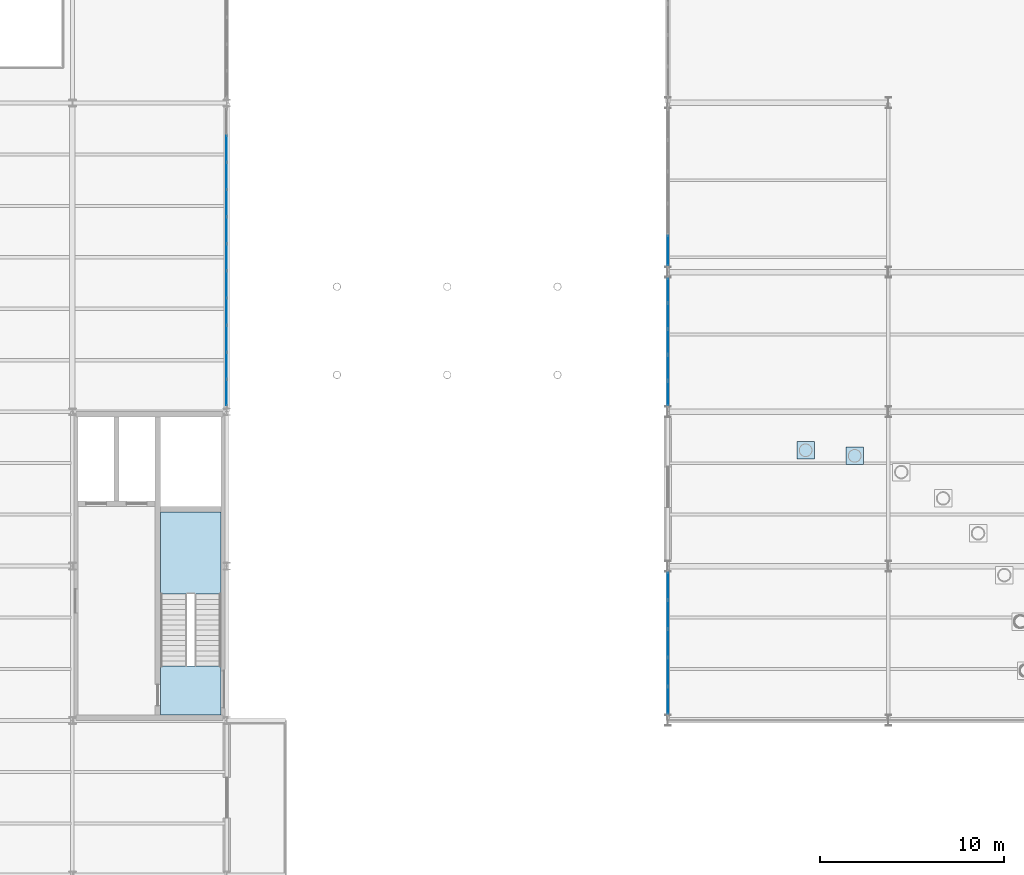
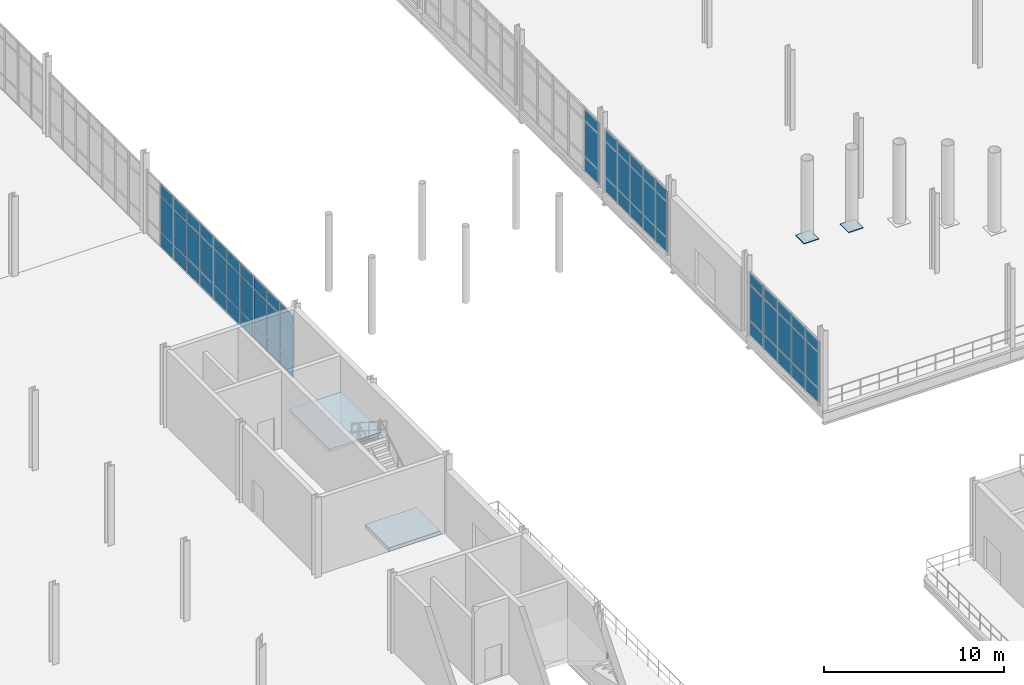
# One storey, part 86 of 111: 65 plates, 2 slabs, 5 elements without a shape of their own.
"""IFC4 building model written with IfcOpenShell, lengths in metres."""

from ifc_helpers import new_model, si_unit, direction, frame, origin, origin_2d, place, context, subcontext, project, spatial, polyline, rectangle, outline, extrude, material, layer, layer_set, type_object, element, aggregate, save


model = new_model("IFC4")

# Units and contexts
model_context = context("Model", 3, precision=1e-05, world=origin(), true_north=direction((0.0, 1.0)))
body_context = subcontext(model_context, "Body", "Model", "MODEL_VIEW")
ifc_project = project(units=[si_unit("LENGTHUNIT", "METRE"), si_unit("AREAUNIT", "SQUARE_METRE"), si_unit("VOLUMEUNIT", "CUBIC_METRE"), si_unit("PLANEANGLEUNIT", "RADIAN"), si_unit("MASSUNIT", "GRAM", prefix="KILO"), si_unit("THERMODYNAMICTEMPERATUREUNIT", "KELVIN"), si_unit("POWERUNIT", "WATT")], contexts=[model_context])

# Site, building, storey
site_placement = place(None, origin())
site = spatial("IfcSite", under=ifc_project, at=site_placement, CompositionType="ELEMENT")
building_placement = place(site_placement, origin())
building = spatial("IfcBuilding", under=site, at=building_placement, Name="Tembeka Court Mobility Hub", CompositionType="ELEMENT")
storey_placement = place(building_placement, origin())
storey = spatial("IfcBuildingStorey", under=building, at=storey_placement, Name="L00", CompositionType="ELEMENT", Elevation=0.0)

# Curtain wall, plates
ifc_material_1 = material(Name="Anodised aluminium 6063-T6", Category="aluminium")
ifc_layer_1 = layer(ifc_material_1, 0.159912109375)
ifc_layer_set_1 = layer_set([ifc_layer_1], Name="Anodised aluminium 6063-T6")
curtain_wall_type_1 = type_object("IfcCurtainWallType", Name="CW-SYS19", PredefinedType="USERDEFINED", material=ifc_layer_set_1)
curtain_wall_1_placement = place(storey_placement, origin())
curtain_wall_1 = element("IfcCurtainWall", 1, at=curtain_wall_1_placement, inside=storey, type_object=curtain_wall_type_1, Name="Unitised curtain wall CW19 (CW-L00-030)", ObjectType="UNITISED GLAZING", PredefinedType="USERDEFINED")
ifc_material_2 = material(Name="Laminated solar-control low-E glass", Category="glass")
ifc_layer_2 = layer(ifc_material_2, 0.028076171875)
ifc_layer_set_2 = layer_set([ifc_layer_2], Name="Laminated solar-control low-E glass")
plate_type_1 = type_object("IfcPlateType", Name="PL-CW01", PredefinedType="CURTAIN_PANEL", material=ifc_layer_set_2)
plate_1_placement = place(storey_placement, frame((92.39990234375, 81.434326171875, 0.06494140625), z_axis=(0.0, 0.0, 1.0), x_axis=(0.0, 1.0, 0.0)))
plate_1 = element("IfcPlate", 2, at=plate_1_placement, type_object=plate_type_1, Name="CW19 panel 1.1", PredefinedType="CURTAIN_PANEL", context=body_context, shape_type="SweptSolid", body=[
    extrude(rectangle(XDim=1.37890625, YDim=0.028076171875, at=origin_2d()), origin(), (0.0, 0.0, 1.0), 0.952392578125),
])
plate_2_placement = place(storey_placement, frame((92.39990234375, 81.434326171875, 1.08251953125), z_axis=(0.0, 0.0, 1.0), x_axis=(0.0, 1.0, 0.0)))
plate_2 = element("IfcPlate", 3, at=plate_2_placement, type_object=plate_type_1, Name="CW19 panel 1.2", PredefinedType="CURTAIN_PANEL", context=body_context, shape_type="SweptSolid", body=[
    extrude(rectangle(XDim=1.37890625, YDim=0.028076171875, at=origin_2d()), origin(), (0.0, 0.0, 1.0), 2.3701171875),
])
plate_3_placement = place(storey_placement, frame((92.39990234375, 81.434326171875, 3.517578125), z_axis=(0.0, 0.0, 1.0), x_axis=(0.0, 1.0, 0.0)))
plate_3 = element("IfcPlate", 4, at=plate_3_placement, type_object=plate_type_1, Name="CW19 panel 1.3", PredefinedType="CURTAIN_PANEL", context=body_context, shape_type="SweptSolid", body=[
    extrude(rectangle(XDim=1.37890625, YDim=0.028076171875, at=origin_2d()), origin(), (0.0, 0.0, 1.0), 0.75244140625),
])
plate_4_placement = place(storey_placement, frame((92.39990234375, 82.89453125, 0.06494140625), z_axis=(0.0, 0.0, 1.0), x_axis=(0.0, 1.0, 0.0)))
plate_4 = element("IfcPlate", 5, at=plate_4_placement, type_object=plate_type_1, Name="CW19 panel 2.1", PredefinedType="CURTAIN_PANEL", context=body_context, shape_type="SweptSolid", body=[
    extrude(rectangle(XDim=1.411376953125, YDim=0.028076171875, at=origin_2d()), origin(), (0.0, 0.0, 1.0), 0.952392578125),
])
plate_5_placement = place(storey_placement, frame((92.39990234375, 82.89453125, 1.08251953125), z_axis=(0.0, 0.0, 1.0), x_axis=(0.0, 1.0, 0.0)))
plate_5 = element("IfcPlate", 6, at=plate_5_placement, type_object=plate_type_1, Name="CW19 panel 2.2", PredefinedType="CURTAIN_PANEL", context=body_context, shape_type="SweptSolid", body=[
    extrude(rectangle(XDim=1.411376953125, YDim=0.028076171875, at=origin_2d()), origin(), (0.0, 0.0, 1.0), 2.3701171875),
])
plate_6_placement = place(storey_placement, frame((92.39990234375, 82.89453125, 3.517578125), z_axis=(0.0, 0.0, 1.0), x_axis=(0.0, 1.0, 0.0)))
plate_6 = element("IfcPlate", 7, at=plate_6_placement, type_object=plate_type_1, Name="CW19 panel 2.3", PredefinedType="CURTAIN_PANEL", context=body_context, shape_type="SweptSolid", body=[
    extrude(rectangle(XDim=1.411376953125, YDim=0.028076171875, at=origin_2d()), origin(), (0.0, 0.0, 1.0), 0.75244140625),
])
plate_7_placement = place(storey_placement, frame((92.39990234375, 84.370849609375, 0.06494140625), z_axis=(0.0, 0.0, 1.0), x_axis=(0.0, 1.0, 0.0)))
plate_7 = element("IfcPlate", 8, at=plate_7_placement, type_object=plate_type_1, Name="CW19 panel 3.1", PredefinedType="CURTAIN_PANEL", context=body_context, shape_type="SweptSolid", body=[
    extrude(rectangle(XDim=1.411376953125, YDim=0.028076171875, at=origin_2d()), origin(), (0.0, 0.0, 1.0), 0.952392578125),
])
plate_8_placement = place(storey_placement, frame((92.39990234375, 84.370849609375, 1.08251953125), z_axis=(0.0, 0.0, 1.0), x_axis=(0.0, 1.0, 0.0)))
plate_8 = element("IfcPlate", 9, at=plate_8_placement, type_object=plate_type_1, Name="CW19 panel 3.2", PredefinedType="CURTAIN_PANEL", context=body_context, shape_type="SweptSolid", body=[
    extrude(rectangle(XDim=1.411376953125, YDim=0.028076171875, at=origin_2d()), origin(), (0.0, 0.0, 1.0), 2.3701171875),
])
plate_9_placement = place(storey_placement, frame((92.39990234375, 84.370849609375, 3.517578125), z_axis=(0.0, 0.0, 1.0), x_axis=(0.0, 1.0, 0.0)))
plate_9 = element("IfcPlate", 10, at=plate_9_placement, type_object=plate_type_1, Name="CW19 panel 3.3", PredefinedType="CURTAIN_PANEL", context=body_context, shape_type="SweptSolid", body=[
    extrude(rectangle(XDim=1.411376953125, YDim=0.028076171875, at=origin_2d()), origin(), (0.0, 0.0, 1.0), 0.75244140625),
])
plate_10_placement = place(storey_placement, frame((92.39990234375, 85.84716796875, 0.06494140625), z_axis=(0.0, 0.0, 1.0), x_axis=(0.0, 1.0, 0.0)))
plate_10 = element("IfcPlate", 11, at=plate_10_placement, type_object=plate_type_1, Name="CW19 panel 4.1", PredefinedType="CURTAIN_PANEL", context=body_context, shape_type="SweptSolid", body=[
    extrude(rectangle(XDim=1.411376953125, YDim=0.028076171875, at=origin_2d()), origin(), (0.0, 0.0, 1.0), 0.952392578125),
])
plate_11_placement = place(storey_placement, frame((92.39990234375, 85.84716796875, 1.08251953125), z_axis=(0.0, 0.0, 1.0), x_axis=(0.0, 1.0, 0.0)))
plate_11 = element("IfcPlate", 12, at=plate_11_placement, type_object=plate_type_1, Name="CW19 panel 4.2", PredefinedType="CURTAIN_PANEL", context=body_context, shape_type="SweptSolid", body=[
    extrude(rectangle(XDim=1.411376953125, YDim=0.028076171875, at=origin_2d()), origin(), (0.0, 0.0, 1.0), 2.3701171875),
])
plate_12_placement = place(storey_placement, frame((92.39990234375, 85.84716796875, 3.517578125), z_axis=(0.0, 0.0, 1.0), x_axis=(0.0, 1.0, 0.0)))
plate_12 = element("IfcPlate", 13, at=plate_12_placement, type_object=plate_type_1, Name="CW19 panel 4.3", PredefinedType="CURTAIN_PANEL", context=body_context, shape_type="SweptSolid", body=[
    extrude(rectangle(XDim=1.411376953125, YDim=0.028076171875, at=origin_2d()), origin(), (0.0, 0.0, 1.0), 0.75244140625),
])
plate_13_placement = place(storey_placement, frame((92.39990234375, 87.32373046875, 0.06494140625), z_axis=(0.0, 0.0, 1.0), x_axis=(0.0, 1.0, 0.0)))
plate_13 = element("IfcPlate", 14, at=plate_13_placement, type_object=plate_type_1, Name="CW19 panel 5.1", PredefinedType="CURTAIN_PANEL", context=body_context, shape_type="SweptSolid", body=[
    extrude(rectangle(XDim=1.411376953125, YDim=0.028076171875, at=origin_2d()), origin(), (0.0, 0.0, 1.0), 0.952392578125),
])
plate_14_placement = place(storey_placement, frame((92.39990234375, 87.32373046875, 1.08251953125), z_axis=(0.0, 0.0, 1.0), x_axis=(0.0, 1.0, 0.0)))
plate_14 = element("IfcPlate", 15, at=plate_14_placement, type_object=plate_type_1, Name="CW19 panel 5.2", PredefinedType="CURTAIN_PANEL", context=body_context, shape_type="SweptSolid", body=[
    extrude(rectangle(XDim=1.411376953125, YDim=0.028076171875, at=origin_2d()), origin(), (0.0, 0.0, 1.0), 2.3701171875),
])
plate_15_placement = place(storey_placement, frame((92.39990234375, 87.32373046875, 3.517578125), z_axis=(0.0, 0.0, 1.0), x_axis=(0.0, 1.0, 0.0)))
plate_15 = element("IfcPlate", 16, at=plate_15_placement, type_object=plate_type_1, Name="CW19 panel 5.3", PredefinedType="CURTAIN_PANEL", context=body_context, shape_type="SweptSolid", body=[
    extrude(rectangle(XDim=1.411376953125, YDim=0.028076171875, at=origin_2d()), origin(), (0.0, 0.0, 1.0), 0.75244140625),
])
plate_16_placement = place(storey_placement, frame((92.39990234375, 88.800048828125, 0.06494140625), z_axis=(0.0, 0.0, 1.0), x_axis=(0.0, 1.0, 0.0)))
plate_16 = element("IfcPlate", 17, at=plate_16_placement, type_object=plate_type_1, Name="CW19 panel 6.1", PredefinedType="CURTAIN_PANEL", context=body_context, shape_type="SweptSolid", body=[
    extrude(rectangle(XDim=1.411376953125, YDim=0.028076171875, at=origin_2d()), origin(), (0.0, 0.0, 1.0), 0.952392578125),
])
plate_17_placement = place(storey_placement, frame((92.39990234375, 88.800048828125, 1.08251953125), z_axis=(0.0, 0.0, 1.0), x_axis=(0.0, 1.0, 0.0)))
plate_17 = element("IfcPlate", 18, at=plate_17_placement, type_object=plate_type_1, Name="CW19 panel 6.2", PredefinedType="CURTAIN_PANEL", context=body_context, shape_type="SweptSolid", body=[
    extrude(rectangle(XDim=1.411376953125, YDim=0.028076171875, at=origin_2d()), origin(), (0.0, 0.0, 1.0), 2.3701171875),
])
plate_18_placement = place(storey_placement, frame((92.39990234375, 88.800048828125, 3.517578125), z_axis=(0.0, 0.0, 1.0), x_axis=(0.0, 1.0, 0.0)))
plate_18 = element("IfcPlate", 19, at=plate_18_placement, type_object=plate_type_1, Name="CW19 panel 6.3", PredefinedType="CURTAIN_PANEL", context=body_context, shape_type="SweptSolid", body=[
    extrude(rectangle(XDim=1.411376953125, YDim=0.028076171875, at=origin_2d()), origin(), (0.0, 0.0, 1.0), 0.75244140625),
])
plate_19_placement = place(storey_placement, frame((92.39990234375, 90.2763671875, 0.06494140625), z_axis=(0.0, 0.0, 1.0), x_axis=(0.0, 1.0, 0.0)))
plate_19 = element("IfcPlate", 20, at=plate_19_placement, type_object=plate_type_1, Name="CW19 panel 7.1", PredefinedType="CURTAIN_PANEL", context=body_context, shape_type="SweptSolid", body=[
    extrude(rectangle(XDim=1.411376953125, YDim=0.028076171875, at=origin_2d()), origin(), (0.0, 0.0, 1.0), 0.952392578125),
])
plate_20_placement = place(storey_placement, frame((92.39990234375, 90.2763671875, 1.08251953125), z_axis=(0.0, 0.0, 1.0), x_axis=(0.0, 1.0, 0.0)))
plate_20 = element("IfcPlate", 21, at=plate_20_placement, type_object=plate_type_1, Name="CW19 panel 7.2", PredefinedType="CURTAIN_PANEL", context=body_context, shape_type="SweptSolid", body=[
    extrude(rectangle(XDim=1.411376953125, YDim=0.028076171875, at=origin_2d()), origin(), (0.0, 0.0, 1.0), 2.3701171875),
])
plate_21_placement = place(storey_placement, frame((92.39990234375, 90.2763671875, 3.517578125), z_axis=(0.0, 0.0, 1.0), x_axis=(0.0, 1.0, 0.0)))
plate_21 = element("IfcPlate", 22, at=plate_21_placement, type_object=plate_type_1, Name="CW19 panel 7.3", PredefinedType="CURTAIN_PANEL", context=body_context, shape_type="SweptSolid", body=[
    extrude(rectangle(XDim=1.411376953125, YDim=0.028076171875, at=origin_2d()), origin(), (0.0, 0.0, 1.0), 0.75244140625),
])
plate_22_placement = place(storey_placement, frame((92.39990234375, 91.752685546875, 0.06494140625), z_axis=(0.0, 0.0, 1.0), x_axis=(0.0, 1.0, 0.0)))
plate_22 = element("IfcPlate", 23, at=plate_22_placement, type_object=plate_type_1, Name="CW19 panel 8.1", PredefinedType="CURTAIN_PANEL", context=body_context, shape_type="SweptSolid", body=[
    extrude(rectangle(XDim=1.411376953125, YDim=0.028076171875, at=origin_2d()), origin(), (0.0, 0.0, 1.0), 0.952392578125),
])
plate_23_placement = place(storey_placement, frame((92.39990234375, 91.752685546875, 1.08251953125), z_axis=(0.0, 0.0, 1.0), x_axis=(0.0, 1.0, 0.0)))
plate_23 = element("IfcPlate", 24, at=plate_23_placement, type_object=plate_type_1, Name="CW19 panel 8.2", PredefinedType="CURTAIN_PANEL", context=body_context, shape_type="SweptSolid", body=[
    extrude(rectangle(XDim=1.411376953125, YDim=0.028076171875, at=origin_2d()), origin(), (0.0, 0.0, 1.0), 2.3701171875),
])
plate_24_placement = place(storey_placement, frame((92.39990234375, 91.752685546875, 3.517578125), z_axis=(0.0, 0.0, 1.0), x_axis=(0.0, 1.0, 0.0)))
plate_24 = element("IfcPlate", 25, at=plate_24_placement, type_object=plate_type_1, Name="CW19 panel 8.3", PredefinedType="CURTAIN_PANEL", context=body_context, shape_type="SweptSolid", body=[
    extrude(rectangle(XDim=1.411376953125, YDim=0.028076171875, at=origin_2d()), origin(), (0.0, 0.0, 1.0), 0.75244140625),
])
plate_25_placement = place(storey_placement, frame((92.39990234375, 93.22900390625, 0.06494140625), z_axis=(0.0, 0.0, 1.0), x_axis=(0.0, 1.0, 0.0)))
plate_25 = element("IfcPlate", 26, at=plate_25_placement, type_object=plate_type_1, Name="CW19 panel 9.1", PredefinedType="CURTAIN_PANEL", context=body_context, shape_type="SweptSolid", body=[
    extrude(rectangle(XDim=1.411376953125, YDim=0.028076171875, at=origin_2d()), origin(), (0.0, 0.0, 1.0), 0.952392578125),
])
plate_26_placement = place(storey_placement, frame((92.39990234375, 93.22900390625, 1.08251953125), z_axis=(0.0, 0.0, 1.0), x_axis=(0.0, 1.0, 0.0)))
plate_26 = element("IfcPlate", 27, at=plate_26_placement, type_object=plate_type_1, Name="CW19 panel 9.2", PredefinedType="CURTAIN_PANEL", context=body_context, shape_type="SweptSolid", body=[
    extrude(rectangle(XDim=1.411376953125, YDim=0.028076171875, at=origin_2d()), origin(), (0.0, 0.0, 1.0), 2.3701171875),
])
plate_27_placement = place(storey_placement, frame((92.39990234375, 93.22900390625, 3.517578125), z_axis=(0.0, 0.0, 1.0), x_axis=(0.0, 1.0, 0.0)))
plate_27 = element("IfcPlate", 28, at=plate_27_placement, type_object=plate_type_1, Name="CW19 panel 9.3", PredefinedType="CURTAIN_PANEL", context=body_context, shape_type="SweptSolid", body=[
    extrude(rectangle(XDim=1.411376953125, YDim=0.028076171875, at=origin_2d()), origin(), (0.0, 0.0, 1.0), 0.75244140625),
])
plate_28_placement = place(storey_placement, frame((92.39990234375, 94.70556640625, 0.06494140625), z_axis=(0.0, 0.0, 1.0), x_axis=(0.0, 1.0, 0.0)))
plate_28 = element("IfcPlate", 29, at=plate_28_placement, type_object=plate_type_1, Name="CW19 panel 10.1", PredefinedType="CURTAIN_PANEL", context=body_context, shape_type="SweptSolid", body=[
    extrude(rectangle(XDim=1.411376953125, YDim=0.028076171875, at=origin_2d()), origin(), (0.0, 0.0, 1.0), 0.952392578125),
])
plate_29_placement = place(storey_placement, frame((92.39990234375, 94.70556640625, 1.08251953125), z_axis=(0.0, 0.0, 1.0), x_axis=(0.0, 1.0, 0.0)))
plate_29 = element("IfcPlate", 30, at=plate_29_placement, type_object=plate_type_1, Name="CW19 panel 10.2", PredefinedType="CURTAIN_PANEL", context=body_context, shape_type="SweptSolid", body=[
    extrude(rectangle(XDim=1.411376953125, YDim=0.028076171875, at=origin_2d()), origin(), (0.0, 0.0, 1.0), 2.3701171875),
])
plate_30_placement = place(storey_placement, frame((92.39990234375, 94.70556640625, 3.517578125), z_axis=(0.0, 0.0, 1.0), x_axis=(0.0, 1.0, 0.0)))
plate_30 = element("IfcPlate", 31, at=plate_30_placement, type_object=plate_type_1, Name="CW19 panel 10.3", PredefinedType="CURTAIN_PANEL", context=body_context, shape_type="SweptSolid", body=[
    extrude(rectangle(XDim=1.411376953125, YDim=0.028076171875, at=origin_2d()), origin(), (0.0, 0.0, 1.0), 0.75244140625),
])
aggregate(curtain_wall_1, [plate_1, plate_2, plate_3, plate_4, plate_5, plate_6, plate_7, plate_8, plate_9, plate_10, plate_11, plate_12, plate_13, plate_14, plate_15, plate_16, plate_17, plate_18, plate_19, plate_20, plate_21, plate_22, plate_23, plate_24, plate_25, plate_26, plate_27, plate_28, plate_29, plate_30])

ifc_layer_3 = layer(ifc_material_1, 0.159912109375)
ifc_layer_set_3 = layer_set([ifc_layer_3], Name="Anodised aluminium 6063-T6")
curtain_wall_type_2 = type_object("IfcCurtainWallType", Name="CW-SYS01", PredefinedType="USERDEFINED", material=ifc_layer_set_3)
curtain_wall_2_placement = place(storey_placement, origin())
curtain_wall_2 = element("IfcCurtainWall", 32, at=curtain_wall_2_placement, inside=storey, type_object=curtain_wall_type_2, Name="Unitised curtain wall CW01 (CW-L00-083)", ObjectType="UNITISED GLAZING", PredefinedType="USERDEFINED")
plate_31_placement = place(storey_placement, frame((116.39990234375, 64.682861328125, 0.074951171875), z_axis=(0.0, 0.0, 1.0), x_axis=(0.0, 1.0, 0.0)))
plate_31 = element("IfcPlate", 33, at=plate_31_placement, type_object=plate_type_1, Name="CW01 panel 1.1", PredefinedType="CURTAIN_PANEL", context=body_context, shape_type="SweptSolid", body=[
    extrude(rectangle(XDim=1.45556640625, YDim=0.028076171875, at=origin_2d()), origin(), (0.0, 0.0, 1.0), 0.9375),
])
plate_32_placement = place(storey_placement, frame((116.39990234375, 64.682861328125, 1.08740234375), z_axis=(0.0, 0.0, 1.0), x_axis=(0.0, 1.0, 0.0)))
plate_32 = element("IfcPlate", 34, at=plate_32_placement, type_object=plate_type_1, Name="CW01 panel 1.2", PredefinedType="CURTAIN_PANEL", context=body_context, shape_type="SweptSolid", body=[
    extrude(rectangle(XDim=1.45556640625, YDim=0.028076171875, at=origin_2d()), origin(), (0.0, 0.0, 1.0), 2.360107421875),
])
plate_33_placement = place(storey_placement, frame((116.39990234375, 64.682861328125, 3.5224609375), z_axis=(0.0, 0.0, 1.0), x_axis=(0.0, 1.0, 0.0)))
plate_33 = element("IfcPlate", 35, at=plate_33_placement, type_object=plate_type_1, Name="CW01 panel 1.3", PredefinedType="CURTAIN_PANEL", context=body_context, shape_type="SweptSolid", body=[
    extrude(rectangle(XDim=1.45556640625, YDim=0.028076171875, at=origin_2d()), origin(), (0.0, 0.0, 1.0), 0.737548828125),
])
plate_34_placement = place(storey_placement, frame((116.39990234375, 66.23193359375, 0.074951171875), z_axis=(0.0, 0.0, 1.0), x_axis=(0.0, 1.0, 0.0)))
plate_34 = element("IfcPlate", 36, at=plate_34_placement, type_object=plate_type_1, Name="CW01 panel 2.1", PredefinedType="CURTAIN_PANEL", context=body_context, shape_type="SweptSolid", body=[
    extrude(rectangle(XDim=1.492919921875, YDim=0.028076171875, at=origin_2d()), origin(), (0.0, 0.0, 1.0), 0.9375),
])
plate_35_placement = place(storey_placement, frame((116.39990234375, 66.23193359375, 1.08740234375), z_axis=(0.0, 0.0, 1.0), x_axis=(0.0, 1.0, 0.0)))
plate_35 = element("IfcPlate", 37, at=plate_35_placement, type_object=plate_type_1, Name="CW01 panel 2.2", PredefinedType="CURTAIN_PANEL", context=body_context, shape_type="SweptSolid", body=[
    extrude(rectangle(XDim=1.492919921875, YDim=0.028076171875, at=origin_2d()), origin(), (0.0, 0.0, 1.0), 2.360107421875),
])
plate_36_placement = place(storey_placement, frame((116.39990234375, 66.23193359375, 3.5224609375), z_axis=(0.0, 0.0, 1.0), x_axis=(0.0, 1.0, 0.0)))
plate_36 = element("IfcPlate", 38, at=plate_36_placement, type_object=plate_type_1, Name="CW01 panel 2.3", PredefinedType="CURTAIN_PANEL", context=body_context, shape_type="SweptSolid", body=[
    extrude(rectangle(XDim=1.492919921875, YDim=0.028076171875, at=origin_2d()), origin(), (0.0, 0.0, 1.0), 0.737548828125),
])
plate_37_placement = place(storey_placement, frame((116.39990234375, 67.800048828125, 0.074951171875), z_axis=(0.0, 0.0, 1.0), x_axis=(0.0, 1.0, 0.0)))
plate_37 = element("IfcPlate", 39, at=plate_37_placement, type_object=plate_type_1, Name="CW01 panel 3.1", PredefinedType="CURTAIN_PANEL", context=body_context, shape_type="SweptSolid", body=[
    extrude(rectangle(XDim=1.492919921875, YDim=0.028076171875, at=origin_2d()), origin(), (0.0, 0.0, 1.0), 0.9375),
])
plate_38_placement = place(storey_placement, frame((116.39990234375, 67.800048828125, 1.08740234375), z_axis=(0.0, 0.0, 1.0), x_axis=(0.0, 1.0, 0.0)))
plate_38 = element("IfcPlate", 40, at=plate_38_placement, type_object=plate_type_1, Name="CW01 panel 3.2", PredefinedType="CURTAIN_PANEL", context=body_context, shape_type="SweptSolid", body=[
    extrude(rectangle(XDim=1.492919921875, YDim=0.028076171875, at=origin_2d()), origin(), (0.0, 0.0, 1.0), 2.360107421875),
])
plate_39_placement = place(storey_placement, frame((116.39990234375, 67.800048828125, 3.5224609375), z_axis=(0.0, 0.0, 1.0), x_axis=(0.0, 1.0, 0.0)))
plate_39 = element("IfcPlate", 41, at=plate_39_placement, type_object=plate_type_1, Name="CW01 panel 3.3", PredefinedType="CURTAIN_PANEL", context=body_context, shape_type="SweptSolid", body=[
    extrude(rectangle(XDim=1.492919921875, YDim=0.028076171875, at=origin_2d()), origin(), (0.0, 0.0, 1.0), 0.737548828125),
])
plate_40_placement = place(storey_placement, frame((116.39990234375, 69.367919921875, 0.074951171875), z_axis=(0.0, 0.0, 1.0), x_axis=(0.0, 1.0, 0.0)))
plate_40 = element("IfcPlate", 42, at=plate_40_placement, type_object=plate_type_1, Name="CW01 panel 4.1", PredefinedType="CURTAIN_PANEL", context=body_context, shape_type="SweptSolid", body=[
    extrude(rectangle(XDim=1.492919921875, YDim=0.028076171875, at=origin_2d()), origin(), (0.0, 0.0, 1.0), 0.9375),
])
plate_41_placement = place(storey_placement, frame((116.39990234375, 69.367919921875, 1.08740234375), z_axis=(0.0, 0.0, 1.0), x_axis=(0.0, 1.0, 0.0)))
plate_41 = element("IfcPlate", 43, at=plate_41_placement, type_object=plate_type_1, Name="CW01 panel 4.2", PredefinedType="CURTAIN_PANEL", context=body_context, shape_type="SweptSolid", body=[
    extrude(rectangle(XDim=1.492919921875, YDim=0.028076171875, at=origin_2d()), origin(), (0.0, 0.0, 1.0), 2.360107421875),
])
plate_42_placement = place(storey_placement, frame((116.39990234375, 69.367919921875, 3.5224609375), z_axis=(0.0, 0.0, 1.0), x_axis=(0.0, 1.0, 0.0)))
plate_42 = element("IfcPlate", 44, at=plate_42_placement, type_object=plate_type_1, Name="CW01 panel 4.3", PredefinedType="CURTAIN_PANEL", context=body_context, shape_type="SweptSolid", body=[
    extrude(rectangle(XDim=1.492919921875, YDim=0.028076171875, at=origin_2d()), origin(), (0.0, 0.0, 1.0), 0.737548828125),
])
plate_43_placement = place(storey_placement, frame((116.39990234375, 70.917236328125, 0.074951171875), z_axis=(0.0, 0.0, 1.0), x_axis=(0.0, 1.0, 0.0)))
plate_43 = element("IfcPlate", 45, at=plate_43_placement, type_object=plate_type_1, Name="CW01 panel 5.1", PredefinedType="CURTAIN_PANEL", context=body_context, shape_type="SweptSolid", body=[
    extrude(rectangle(XDim=1.45556640625, YDim=0.028076171875, at=origin_2d()), origin(), (0.0, 0.0, 1.0), 0.9375),
])
plate_44_placement = place(storey_placement, frame((116.39990234375, 70.917236328125, 1.08740234375), z_axis=(0.0, 0.0, 1.0), x_axis=(0.0, 1.0, 0.0)))
plate_44 = element("IfcPlate", 46, at=plate_44_placement, type_object=plate_type_1, Name="CW01 panel 5.2", PredefinedType="CURTAIN_PANEL", context=body_context, shape_type="SweptSolid", body=[
    extrude(rectangle(XDim=1.45556640625, YDim=0.028076171875, at=origin_2d()), origin(), (0.0, 0.0, 1.0), 2.360107421875),
])
plate_45_placement = place(storey_placement, frame((116.39990234375, 70.917236328125, 3.5224609375), z_axis=(0.0, 0.0, 1.0), x_axis=(0.0, 1.0, 0.0)))
plate_45 = element("IfcPlate", 47, at=plate_45_placement, type_object=plate_type_1, Name="CW01 panel 5.3", PredefinedType="CURTAIN_PANEL", context=body_context, shape_type="SweptSolid", body=[
    extrude(rectangle(XDim=1.45556640625, YDim=0.028076171875, at=origin_2d()), origin(), (0.0, 0.0, 1.0), 0.737548828125),
])
aggregate(curtain_wall_2, [plate_31, plate_32, plate_33, plate_34, plate_35, plate_36, plate_37, plate_38, plate_39, plate_40, plate_41, plate_42, plate_43, plate_44, plate_45])

ifc_layer_4 = layer(ifc_material_1, 0.199951171875)
ifc_layer_set_4 = layer_set([ifc_layer_4], Name="Anodised aluminium 6063-T6")
curtain_wall_type_3 = type_object("IfcCurtainWallType", Name="CW-SYS27", PredefinedType="USERDEFINED", material=ifc_layer_set_4)
curtain_wall_3_placement = place(storey_placement, origin())
curtain_wall_3 = element("IfcCurtainWall", 48, at=curtain_wall_3_placement, inside=storey, type_object=curtain_wall_type_3, Name="Unitised curtain wall CW27 (CW-L00-086)", ObjectType="UNITISED GLAZING", PredefinedType="USERDEFINED")
plate_46_placement = place(storey_placement, frame((116.39990234375, 81.40283203125, 0.074951171875), z_axis=(0.0, 0.0, 1.0), x_axis=(0.0, 1.0, 0.0)))
plate_46 = element("IfcPlate", 49, at=plate_46_placement, type_object=plate_type_1, Name="CW27 panel 1.1", PredefinedType="CURTAIN_PANEL", context=body_context, shape_type="SweptSolid", body=[
    extrude(rectangle(XDim=1.29541015625, YDim=0.028076171875, at=origin_2d()), origin(), (0.0, 0.0, 1.0), 0.9375),
])
plate_47_placement = place(storey_placement, frame((116.39990234375, 81.40283203125, 1.08740234375), z_axis=(0.0, 0.0, 1.0), x_axis=(0.0, 1.0, 0.0)))
plate_47 = element("IfcPlate", 50, at=plate_47_placement, type_object=plate_type_1, Name="CW27 panel 1.2", PredefinedType="CURTAIN_PANEL", context=body_context, shape_type="SweptSolid", body=[
    extrude(rectangle(XDim=1.29541015625, YDim=0.028076171875, at=origin_2d()), origin(), (0.0, 0.0, 1.0), 2.360107421875),
])
plate_48_placement = place(storey_placement, frame((116.39990234375, 81.40283203125, 3.5224609375), z_axis=(0.0, 0.0, 1.0), x_axis=(0.0, 1.0, 0.0)))
plate_48 = element("IfcPlate", 51, at=plate_48_placement, type_object=plate_type_1, Name="CW27 panel 1.3", PredefinedType="CURTAIN_PANEL", context=body_context, shape_type="SweptSolid", body=[
    extrude(rectangle(XDim=1.29541015625, YDim=0.028076171875, at=origin_2d()), origin(), (0.0, 0.0, 1.0), 0.737548828125),
])
plate_49_placement = place(storey_placement, frame((116.39990234375, 82.7919921875, 0.074951171875), z_axis=(0.0, 0.0, 1.0), x_axis=(0.0, 1.0, 0.0)))
plate_49 = element("IfcPlate", 52, at=plate_49_placement, type_object=plate_type_1, Name="CW27 panel 2.1", PredefinedType="CURTAIN_PANEL", context=body_context, shape_type="SweptSolid", body=[
    extrude(rectangle(XDim=1.3330078125, YDim=0.028076171875, at=origin_2d()), origin(), (0.0, 0.0, 1.0), 0.9375),
])
plate_50_placement = place(storey_placement, frame((116.39990234375, 82.7919921875, 1.08740234375), z_axis=(0.0, 0.0, 1.0), x_axis=(0.0, 1.0, 0.0)))
plate_50 = element("IfcPlate", 53, at=plate_50_placement, type_object=plate_type_1, Name="CW27 panel 2.2", PredefinedType="CURTAIN_PANEL", context=body_context, shape_type="SweptSolid", body=[
    extrude(rectangle(XDim=1.3330078125, YDim=0.028076171875, at=origin_2d()), origin(), (0.0, 0.0, 1.0), 2.360107421875),
])
plate_51_placement = place(storey_placement, frame((116.39990234375, 82.7919921875, 3.5224609375), z_axis=(0.0, 0.0, 1.0), x_axis=(0.0, 1.0, 0.0)))
plate_51 = element("IfcPlate", 54, at=plate_51_placement, type_object=plate_type_1, Name="CW27 panel 2.3", PredefinedType="CURTAIN_PANEL", context=body_context, shape_type="SweptSolid", body=[
    extrude(rectangle(XDim=1.3330078125, YDim=0.028076171875, at=origin_2d()), origin(), (0.0, 0.0, 1.0), 0.737548828125),
])
plate_52_placement = place(storey_placement, frame((116.39990234375, 84.199951171875, 0.074951171875), z_axis=(0.0, 0.0, 1.0), x_axis=(0.0, 1.0, 0.0)))
plate_52 = element("IfcPlate", 55, at=plate_52_placement, type_object=plate_type_1, Name="CW27 panel 3.1", PredefinedType="CURTAIN_PANEL", context=body_context, shape_type="SweptSolid", body=[
    extrude(rectangle(XDim=1.3330078125, YDim=0.028076171875, at=origin_2d()), origin(), (0.0, 0.0, 1.0), 0.9375),
])
plate_53_placement = place(storey_placement, frame((116.39990234375, 84.199951171875, 1.08740234375), z_axis=(0.0, 0.0, 1.0), x_axis=(0.0, 1.0, 0.0)))
plate_53 = element("IfcPlate", 56, at=plate_53_placement, type_object=plate_type_1, Name="CW27 panel 3.2", PredefinedType="CURTAIN_PANEL", context=body_context, shape_type="SweptSolid", body=[
    extrude(rectangle(XDim=1.3330078125, YDim=0.028076171875, at=origin_2d()), origin(), (0.0, 0.0, 1.0), 2.360107421875),
])
plate_54_placement = place(storey_placement, frame((116.39990234375, 84.199951171875, 3.5224609375), z_axis=(0.0, 0.0, 1.0), x_axis=(0.0, 1.0, 0.0)))
plate_54 = element("IfcPlate", 57, at=plate_54_placement, type_object=plate_type_1, Name="CW27 panel 3.3", PredefinedType="CURTAIN_PANEL", context=body_context, shape_type="SweptSolid", body=[
    extrude(rectangle(XDim=1.3330078125, YDim=0.028076171875, at=origin_2d()), origin(), (0.0, 0.0, 1.0), 0.737548828125),
])
plate_55_placement = place(storey_placement, frame((116.39990234375, 85.60791015625, 0.074951171875), z_axis=(0.0, 0.0, 1.0), x_axis=(0.0, 1.0, 0.0)))
plate_55 = element("IfcPlate", 58, at=plate_55_placement, type_object=plate_type_1, Name="CW27 panel 4.1", PredefinedType="CURTAIN_PANEL", context=body_context, shape_type="SweptSolid", body=[
    extrude(rectangle(XDim=1.3330078125, YDim=0.028076171875, at=origin_2d()), origin(), (0.0, 0.0, 1.0), 0.9375),
])
plate_56_placement = place(storey_placement, frame((116.39990234375, 85.60791015625, 1.08740234375), z_axis=(0.0, 0.0, 1.0), x_axis=(0.0, 1.0, 0.0)))
plate_56 = element("IfcPlate", 59, at=plate_56_placement, type_object=plate_type_1, Name="CW27 panel 4.2", PredefinedType="CURTAIN_PANEL", context=body_context, shape_type="SweptSolid", body=[
    extrude(rectangle(XDim=1.3330078125, YDim=0.028076171875, at=origin_2d()), origin(), (0.0, 0.0, 1.0), 2.360107421875),
])
plate_57_placement = place(storey_placement, frame((116.39990234375, 85.60791015625, 3.5224609375), z_axis=(0.0, 0.0, 1.0), x_axis=(0.0, 1.0, 0.0)))
plate_57 = element("IfcPlate", 60, at=plate_57_placement, type_object=plate_type_1, Name="CW27 panel 4.3", PredefinedType="CURTAIN_PANEL", context=body_context, shape_type="SweptSolid", body=[
    extrude(rectangle(XDim=1.3330078125, YDim=0.028076171875, at=origin_2d()), origin(), (0.0, 0.0, 1.0), 0.737548828125),
])
plate_58_placement = place(storey_placement, frame((116.39990234375, 86.997314453125, 0.074951171875), z_axis=(0.0, 0.0, 1.0), x_axis=(0.0, 1.0, 0.0)))
plate_58 = element("IfcPlate", 61, at=plate_58_placement, type_object=plate_type_1, Name="CW27 panel 5.1", PredefinedType="CURTAIN_PANEL", context=body_context, shape_type="SweptSolid", body=[
    extrude(rectangle(XDim=1.29541015625, YDim=0.028076171875, at=origin_2d()), origin(), (0.0, 0.0, 1.0), 0.9375),
])
plate_59_placement = place(storey_placement, frame((116.39990234375, 86.997314453125, 1.08740234375), z_axis=(0.0, 0.0, 1.0), x_axis=(0.0, 1.0, 0.0)))
plate_59 = element("IfcPlate", 62, at=plate_59_placement, type_object=plate_type_1, Name="CW27 panel 5.2", PredefinedType="CURTAIN_PANEL", context=body_context, shape_type="SweptSolid", body=[
    extrude(rectangle(XDim=1.29541015625, YDim=0.028076171875, at=origin_2d()), origin(), (0.0, 0.0, 1.0), 2.360107421875),
])
plate_60_placement = place(storey_placement, frame((116.39990234375, 86.997314453125, 3.5224609375), z_axis=(0.0, 0.0, 1.0), x_axis=(0.0, 1.0, 0.0)))
plate_60 = element("IfcPlate", 63, at=plate_60_placement, type_object=plate_type_1, Name="CW27 panel 5.3", PredefinedType="CURTAIN_PANEL", context=body_context, shape_type="SweptSolid", body=[
    extrude(rectangle(XDim=1.29541015625, YDim=0.028076171875, at=origin_2d()), origin(), (0.0, 0.0, 1.0), 0.737548828125),
])
aggregate(curtain_wall_3, [plate_46, plate_47, plate_48, plate_49, plate_50, plate_51, plate_52, plate_53, plate_54, plate_55, plate_56, plate_57, plate_58, plate_59, plate_60])

ifc_layer_5 = layer(ifc_material_1, 0.199951171875)
ifc_layer_set_5 = layer_set([ifc_layer_5], Name="Anodised aluminium 6063-T6")
curtain_wall_type_4 = type_object("IfcCurtainWallType", Name="CW-SYS28", PredefinedType="USERDEFINED", material=ifc_layer_set_5)
curtain_wall_4_placement = place(storey_placement, origin())
curtain_wall_4 = element("IfcCurtainWall", 64, at=curtain_wall_4_placement, inside=storey, type_object=curtain_wall_type_4, Name="Unitised curtain wall CW28 (CW-L00-087)", ObjectType="UNITISED GLAZING", PredefinedType="USERDEFINED")
plate_61_placement = place(storey_placement, frame((116.39990234375, 89.162841796875, 0.074951171875), z_axis=(0.0, 0.0, 1.0), x_axis=(0.0, 1.0, 0.0)))
plate_61 = element("IfcPlate", 65, at=plate_61_placement, type_object=plate_type_1, Name="CW28 panel 1.1", PredefinedType="CURTAIN_PANEL", context=body_context, shape_type="SweptSolid", body=[
    extrude(rectangle(XDim=1.615478515625, YDim=0.028076171875, at=origin_2d()), origin(), (0.0, 0.0, 1.0), 0.9375),
])
plate_62_placement = place(storey_placement, frame((116.39990234375, 89.162841796875, 1.08740234375), z_axis=(0.0, 0.0, 1.0), x_axis=(0.0, 1.0, 0.0)))
plate_62 = element("IfcPlate", 66, at=plate_62_placement, type_object=plate_type_1, Name="CW28 panel 1.2", PredefinedType="CURTAIN_PANEL", context=body_context, shape_type="SweptSolid", body=[
    extrude(rectangle(XDim=1.615478515625, YDim=0.028076171875, at=origin_2d()), origin(), (0.0, 0.0, 1.0), 2.360107421875),
])
plate_63_placement = place(storey_placement, frame((116.39990234375, 89.162841796875, 3.5224609375), z_axis=(0.0, 0.0, 1.0), x_axis=(0.0, 1.0, 0.0)))
plate_63 = element("IfcPlate", 67, at=plate_63_placement, type_object=plate_type_1, Name="CW28 panel 1.3", PredefinedType="CURTAIN_PANEL", context=body_context, shape_type="SweptSolid", body=[
    extrude(rectangle(XDim=1.615478515625, YDim=0.028076171875, at=origin_2d()), origin(), (0.0, 0.0, 1.0), 0.737548828125),
])
aggregate(curtain_wall_4, [plate_61, plate_62, plate_63])

# Plates
ifc_material_3 = material(Name="Steel S355", Category="steel")
ifc_layer_6 = layer(ifc_material_3, 0.0400390625)
ifc_layer_set_6 = layer_set([ifc_layer_6], Name="Steel S355")
plate_type_2 = type_object("IfcPlateType", Name="PL-MBP01", PredefinedType="USERDEFINED", material=ifc_layer_set_6)
for number, where, z_axis, x_axis, name in (
    (68, (123.89990234375, 78.300048828125, 0.0), (0.0, 0.0, 1.0), (1.0, 0.0, 0.0), "Concourse roof mast M8 base plate MBP01"),
    (69, (126.5703125, 77.9990234375, 0.0), (0.0, 0.0, 1.0), (1.0, 0.0, 0.0), "Concourse roof mast M7 base plate MBP01"),
):
    element("IfcPlate", number, at=place(storey_placement, frame(where, z_axis=z_axis, x_axis=x_axis)), inside=storey, type_object=plate_type_2, Name=name, ObjectType="BASE PLATE", PredefinedType="USERDEFINED", context=body_context, shape_type="SweptSolid", body=[
        extrude(rectangle(XDim=0.949951171875, YDim=0.949951171875, at=origin_2d()), origin(), (0.0, 0.0, 1.0), 0.0400390625),
    ])

# Slab
ifc_material_4 = material(Name="Concrete C40/50", Category="concrete")
ifc_layer_7 = layer(ifc_material_4, 0.199951171875)
ifc_layer_set_7 = layer_set([ifc_layer_7], Name="Concrete C40/50")
slab_type = type_object("IfcSlabType", Name="SL-LD01", PredefinedType="LANDING", material=ifc_layer_set_7)
slab_1_placement = place(storey_placement, frame((0.0, 0.0, -0.25)))
element("IfcSlab", 70, at=slab_1_placement, inside=storey, type_object=slab_type, Name="Stair ST02 L00 floor landing slab", PredefinedType="LANDING", context=body_context, shape_type="SweptSolid", body=[
    extrude(outline(polyline([(88.800048828125, 63.89990234375), (92.10009765625, 63.89990234375), (92.10009765625, 66.550048828125), (88.800048828125, 66.550048828125), (88.800048828125, 63.89990234375)])), origin(), (0.0, 0.0, 1.0), 0.25),
])

# Stair, slab
stair_type = type_object("IfcStairType", Name="STR-ST02L00", PredefinedType="HALF_TURN_STAIR", material=ifc_material_4)
stair_placement = place(storey_placement, origin())
stair = element("IfcStair", 71, at=stair_placement, inside=storey, type_object=stair_type, Name="Protected exit stair ST02 (L00)", PredefinedType="HALF_TURN_STAIR")
slab_2_placement = place(storey_placement, frame((0.0, 0.0, 2.5)))
slab_2 = element("IfcSlab", 72, at=slab_2_placement, type_object=slab_type, Name="ST02L00 landing 1", PredefinedType="LANDING", context=body_context, shape_type="SweptSolid", body=[
    extrude(outline(polyline([(92.10009765625, 70.469970703125), (92.10009765625, 74.949951171875), (88.800048828125, 74.949951171875), (88.800048828125, 70.469970703125), (92.10009765625, 70.469970703125)])), origin(), (0.0, 0.0, 1.0), 0.199951171875),
])
aggregate(stair, [slab_2])

save(model, "model.ifc")
